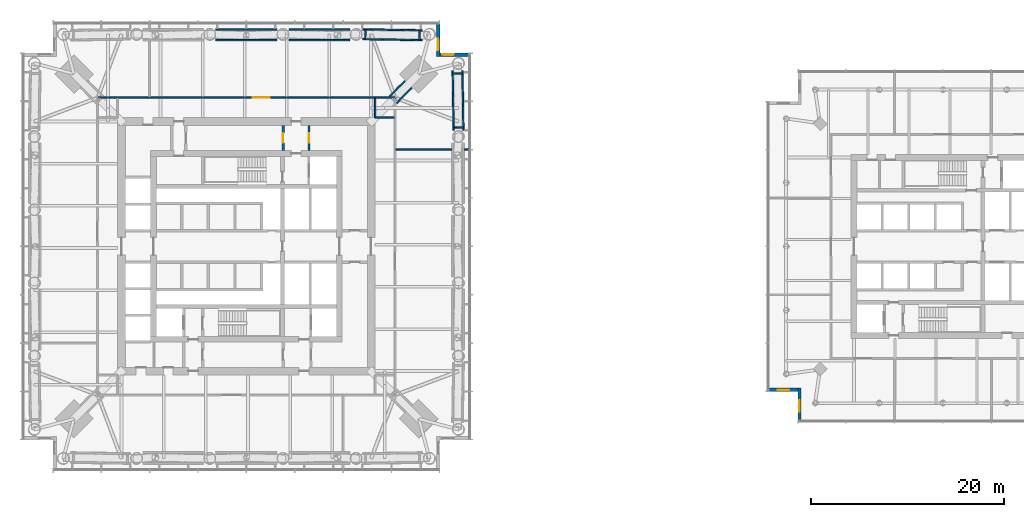
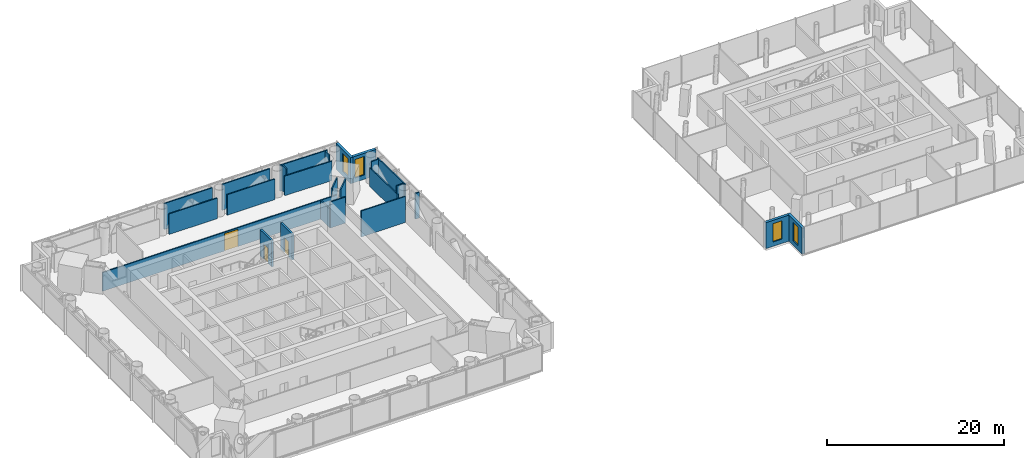
# One storey, part 13 of 18: 25 walls, 4 windows, 3 doors, 7 openings.
"""IFC4 building model written with IfcOpenShell, lengths in metres."""

from ifc_helpers import new_model, si_unit, direction, frame, frame_2d, origin, place, context, subcontext, project, spatial, rectangle, extrude, material, layer, layer_set, type_object, element, fill, save


model = new_model("IFC4")

# Units and contexts
model_context = context("Model", 3, precision=1e-05, world=origin(), true_north=direction((0.0, 1.0)))
body_context = subcontext(model_context, "Body", "Model", "MODEL_VIEW")
ifc_project = project(units=[si_unit("LENGTHUNIT", "METRE"), si_unit("AREAUNIT", "SQUARE_METRE"), si_unit("VOLUMEUNIT", "CUBIC_METRE"), si_unit("PLANEANGLEUNIT", "RADIAN"), si_unit("MASSUNIT", "GRAM", prefix="KILO")], contexts=[model_context])

# Site, building, storey
site_placement = place(None, origin())
site = spatial("IfcSite", under=ifc_project, at=site_placement, CompositionType="ELEMENT")
building_placement = place(site_placement, origin())
building = spatial("IfcBuilding", under=site, at=building_placement, Name="Ostroluk Exchange", CompositionType="ELEMENT")
storey_placement = place(building_placement, frame((0.0, 0.0, 85.60009765625)))
storey = spatial("IfcBuildingStorey", under=building, at=storey_placement, Name="L21", CompositionType="ELEMENT", Elevation=85.60009765625)

# Wall, opening, door
ifc_material_1 = material(Name="Concrete blockwork", Category="masonry")
ifc_layer_1 = layer(ifc_material_1, 0.25)
ifc_layer_set_1 = layer_set([ifc_layer_1], Name="Blockwork stair enclosure wall 250")
wall_type_1 = type_object("IfcWallType", Name="Blockwork stair enclosure wall 250", PredefinedType="SOLIDWALL", material=ifc_layer_set_1)
wall_1_placement = place(storey_placement, frame((48.804931640625, 55.89990234375, 0.0), z_axis=(0.0, 0.0, 1.0), x_axis=(0.0, 1.0, 0.0)))
wall_1 = element("IfcWall", 1, at=wall_1_placement, inside=storey, type_object=wall_type_1, Name="Fire lobby enclosure wall", PredefinedType="SOLIDWALL", context=body_context, shape_type="SweptSolid", body=[
    extrude(rectangle(XDim=2.60009765625, YDim=0.25, at=frame_2d((1.300048828125, 0.0))), origin(), (0.0, 0.0, 1.0), 3.599853515625),
])
opening_1_placement = place(wall_1_placement, frame((0.800048828125, 0.0, 0.0)))
opening_1 = element("IfcOpeningElement", 2, at=opening_1_placement, cuts=wall_1, Name="Opening FD60", PredefinedType="OPENING", context=body_context, shape_type="SweptSolid", body=[
    extrude(rectangle(XDim=1.0, YDim=2.10009765625, at=frame_2d((0.5, 1.050048828125))), frame((0.0, 0.135009765625, 0.0), z_axis=(0.0, -1.0, 0.0), x_axis=(1.0, 0.0, 0.0)), (0.0, 0.0, 1.0), 0.27001953125),
])
ifc_material_2 = material(Name="Steel", Category="steel")
door_type_1 = type_object("IfcDoorType", Name="Fire door EI 60 1000 x 2100", OperationType="SINGLE_SWING_LEFT", PredefinedType="DOOR", material=ifc_material_2)
door_1_placement = place(opening_1_placement, origin())
door_1 = element("IfcDoor", 3, at=door_1_placement, inside=storey, type_object=door_type_1, Name="Core link door", OperationType="SINGLE_SWING_LEFT", OverallHeight=2.10009765625, OverallWidth=1.0, PredefinedType="DOOR", context=body_context, shape_type="SweptSolid", body=[
    extrude(rectangle(XDim=1.0, YDim=2.10009765625, at=frame_2d((0.5, 1.050048828125))), frame((0.0, 0.02490234375, 0.0), z_axis=(0.0, -1.0, 0.0), x_axis=(1.0, 0.0, 0.0)), (0.0, 0.0, 1.0), 0.050048828125),
])
fill(opening_1, door_1)

wall_2_placement = place(storey_placement, frame((51.47509765625, 55.89990234375, 0.0), z_axis=(0.0, 0.0, 1.0), x_axis=(0.0, 1.0, 0.0)))
wall_2 = element("IfcWall", 4, at=wall_2_placement, inside=storey, type_object=wall_type_1, Name="Fire lobby enclosure wall", PredefinedType="SOLIDWALL", context=body_context, shape_type="SweptSolid", body=[
    extrude(rectangle(XDim=2.60009765625, YDim=0.25, at=frame_2d((1.300048828125, 0.0))), origin(), (0.0, 0.0, 1.0), 3.599853515625),
])
opening_2_placement = place(wall_2_placement, frame((0.800048828125, 0.0, 0.0)))
opening_2 = element("IfcOpeningElement", 5, at=opening_2_placement, cuts=wall_2, Name="Opening FD60", PredefinedType="OPENING", context=body_context, shape_type="SweptSolid", body=[
    extrude(rectangle(XDim=1.0, YDim=2.10009765625, at=frame_2d((0.5, 1.050048828125))), frame((0.0, 0.135009765625, 0.0), z_axis=(0.0, -1.0, 0.0), x_axis=(1.0, 0.0, 0.0)), (0.0, 0.0, 1.0), 0.27001953125),
])
door_2_placement = place(opening_2_placement, origin())
door_2 = element("IfcDoor", 6, at=door_2_placement, inside=storey, type_object=door_type_1, Name="Core link door", OperationType="SINGLE_SWING_LEFT", OverallHeight=2.10009765625, OverallWidth=1.0, PredefinedType="DOOR", context=body_context, shape_type="SweptSolid", body=[
    extrude(rectangle(XDim=1.0, YDim=2.10009765625, at=frame_2d((0.5, 1.050048828125))), frame((0.0, 0.02490234375, 0.0), z_axis=(0.0, -1.0, 0.0), x_axis=(1.0, 0.0, 0.0)), (0.0, 0.0, 1.0), 0.050048828125),
])
fill(opening_2, door_2)

# Wall, opening, window
ifc_material_3 = material(Name="Limestone", Category="masonry")
ifc_layer_2 = layer(ifc_material_3, 0.35009765625)
ifc_layer_set_2 = layer_set([ifc_layer_2], Name="Limestone facade wall 350")
wall_type_2 = type_object("IfcWallType", Name="Limestone facade wall 350", PredefinedType="SOLIDWALL", material=ifc_layer_set_2)
wall_3_placement = place(storey_placement, frame((64.824951171875, 69.0, 0.0), z_axis=(0.0, 0.0, 1.0), x_axis=(0.0, -1.0, 0.0)))
wall_3 = element("IfcWall", 7, at=wall_3_placement, inside=storey, type_object=wall_type_2, Name="Office tower NE corner wall L21 a", PredefinedType="SOLIDWALL", context=body_context, shape_type="SweptSolid", body=[
    extrude(rectangle(XDim=3.35009765625, YDim=0.35009765625, at=frame_2d((1.675048828125, 0.0))), origin(), (0.0, 0.0, 1.0), 3.599853515625),
])
opening_3_placement = place(wall_3_placement, frame((1.550048828125, 0.0, 0.60009765625)))
opening_3 = element("IfcOpeningElement", 8, at=opening_3_placement, cuts=wall_3, Name="Opening WN-LV1", PredefinedType="OPENING", context=body_context, shape_type="SweptSolid", body=[
    extrude(rectangle(XDim=1.199951171875, YDim=2.550048828125, at=frame_2d((0.60009765625, 1.27490234375))), frame((0.0, 0.18505859375, 0.0), z_axis=(0.0, -1.0, 0.0), x_axis=(1.0, 0.0, 0.0)), (0.0, 0.0, 1.0), 0.3701171875),
])
ifc_material_4 = material(Name="Aluminium louvre", Category="aluminium")
window_type = type_object("IfcWindowType", Name="Lancet louvre 1200 x 2550", PartitioningType="SINGLE_PANEL", PredefinedType="USERDEFINED", material=ifc_material_4)
window_1_placement = place(opening_3_placement, origin())
window_1 = element("IfcWindow", 9, at=window_1_placement, inside=storey, type_object=window_type, Name="Office tower NE plant louvre L21", ObjectType="LOUVRE", OverallHeight=2.550048828125, OverallWidth=1.199951171875, PartitioningType="SINGLE_PANEL", PredefinedType="USERDEFINED", context=body_context, shape_type="SweptSolid", body=[
    extrude(rectangle(XDim=1.199951171875, YDim=2.550048828125, at=frame_2d((0.60009765625, 1.27490234375))), frame((0.0, 0.030029296875, 0.0), z_axis=(0.0, -1.0, 0.0), x_axis=(1.0, 0.0, 0.0)), (0.0, 0.0, 1.0), 0.06005859375),
])
fill(opening_3, window_1)

wall_4_placement = place(storey_placement, frame((65.0, 65.824951171875, 0.0), z_axis=(0.0, 0.0, 1.0), x_axis=(1.0, 0.0, 0.0)))
wall_4 = element("IfcWall", 10, at=wall_4_placement, inside=storey, type_object=wall_type_2, Name="Office tower NE corner wall L21 b", PredefinedType="SOLIDWALL", context=body_context, shape_type="SweptSolid", body=[
    extrude(rectangle(XDim=3.0, YDim=0.35009765625, at=frame_2d((1.5, 0.0))), origin(), (0.0, 0.0, 1.0), 3.599853515625),
])
opening_4_placement = place(wall_4_placement, frame((0.25, 0.0, 0.60009765625)))
opening_4 = element("IfcOpeningElement", 11, at=opening_4_placement, cuts=wall_4, Name="Opening WN-LV1", PredefinedType="OPENING", context=body_context, shape_type="SweptSolid", body=[
    extrude(rectangle(XDim=1.199951171875, YDim=2.550048828125, at=frame_2d((0.60009765625, 1.27490234375))), frame((0.0, 0.18505859375, 0.0), z_axis=(0.0, -1.0, 0.0), x_axis=(1.0, 0.0, 0.0)), (0.0, 0.0, 1.0), 0.3701171875),
])
window_2_placement = place(opening_4_placement, origin())
window_2 = element("IfcWindow", 12, at=window_2_placement, inside=storey, type_object=window_type, Name="Office tower NE plant louvre L21", ObjectType="LOUVRE", OverallHeight=2.550048828125, OverallWidth=1.199951171875, PartitioningType="SINGLE_PANEL", PredefinedType="USERDEFINED", context=body_context, shape_type="SweptSolid", body=[
    extrude(rectangle(XDim=1.199951171875, YDim=2.550048828125, at=frame_2d((0.60009765625, 1.27490234375))), frame((0.0, 0.030029296875, 0.0), z_axis=(0.0, -1.0, 0.0), x_axis=(1.0, 0.0, 0.0)), (0.0, 0.0, 1.0), 0.06005859375),
])
fill(opening_4, window_2)

wall_5_placement = place(storey_placement, frame((102.175048828125, 28.0, 0.0), z_axis=(0.0, 0.0, 1.0), x_axis=(0.0, 1.0, 0.0)))
wall_5 = element("IfcWall", 13, at=wall_5_placement, inside=storey, type_object=wall_type_2, Name="Hotel tower SW corner wall L21 a", PredefinedType="SOLIDWALL", context=body_context, shape_type="SweptSolid", body=[
    extrude(rectangle(XDim=3.35009765625, YDim=0.35009765625, at=frame_2d((1.675048828125, 0.0))), origin(), (0.0, 0.0, 1.0), 3.599853515625),
])
opening_5_placement = place(wall_5_placement, frame((0.89990234375, 0.0, 0.60009765625)))
opening_5 = element("IfcOpeningElement", 14, at=opening_5_placement, cuts=wall_5, Name="Opening WN-LV1", PredefinedType="OPENING", context=body_context, shape_type="SweptSolid", body=[
    extrude(rectangle(XDim=1.199951171875, YDim=2.550048828125, at=frame_2d((0.60009765625, 1.27490234375))), frame((0.0, 0.18505859375, 0.0), z_axis=(0.0, -1.0, 0.0), x_axis=(1.0, 0.0, 0.0)), (0.0, 0.0, 1.0), 0.3701171875),
])
window_3_placement = place(opening_5_placement, origin())
window_3 = element("IfcWindow", 15, at=window_3_placement, inside=storey, type_object=window_type, Name="Hotel tower SW plant louvre L21", ObjectType="LOUVRE", OverallHeight=2.550048828125, OverallWidth=1.199951171875, PartitioningType="SINGLE_PANEL", PredefinedType="USERDEFINED", context=body_context, shape_type="SweptSolid", body=[
    extrude(rectangle(XDim=1.199951171875, YDim=2.550048828125, at=frame_2d((0.60009765625, 1.27490234375))), frame((0.0, 0.030029296875, 0.0), z_axis=(0.0, -1.0, 0.0), x_axis=(1.0, 0.0, 0.0)), (0.0, 0.0, 1.0), 0.06005859375),
])
fill(opening_5, window_3)

wall_6_placement = place(storey_placement, frame((102.0, 31.175048828125, 0.0), z_axis=(0.0, 0.0, 1.0), x_axis=(-1.0, 0.0, 0.0)))
wall_6 = element("IfcWall", 16, at=wall_6_placement, inside=storey, type_object=wall_type_2, Name="Hotel tower SW corner wall L21 b", PredefinedType="SOLIDWALL", context=body_context, shape_type="SweptSolid", body=[
    extrude(rectangle(XDim=3.0, YDim=0.35009765625, at=frame_2d((1.5, 0.0))), origin(), (0.0, 0.0, 1.0), 3.599853515625),
])
opening_6_placement = place(wall_6_placement, frame((0.89990234375, 0.0, 0.60009765625)))
opening_6 = element("IfcOpeningElement", 17, at=opening_6_placement, cuts=wall_6, Name="Opening WN-LV1", PredefinedType="OPENING", context=body_context, shape_type="SweptSolid", body=[
    extrude(rectangle(XDim=1.199951171875, YDim=2.550048828125, at=frame_2d((0.60009765625, 1.27490234375))), frame((0.0, 0.18505859375, 0.0), z_axis=(0.0, -1.0, 0.0), x_axis=(1.0, 0.0, 0.0)), (0.0, 0.0, 1.0), 0.3701171875),
])
window_4_placement = place(opening_6_placement, origin())
window_4 = element("IfcWindow", 18, at=window_4_placement, inside=storey, type_object=window_type, Name="Hotel tower SW plant louvre L21", ObjectType="LOUVRE", OverallHeight=2.550048828125, OverallWidth=1.199951171875, PartitioningType="SINGLE_PANEL", PredefinedType="USERDEFINED", context=body_context, shape_type="SweptSolid", body=[
    extrude(rectangle(XDim=1.199951171875, YDim=2.550048828125, at=frame_2d((0.60009765625, 1.27490234375))), frame((0.0, 0.030029296875, 0.0), z_axis=(0.0, -1.0, 0.0), x_axis=(1.0, 0.0, 0.0)), (0.0, 0.0, 1.0), 0.06005859375),
])
fill(opening_6, window_4)

# Walls
ifc_material_5 = material(Name="Gypsum plasterboard partition", Category="gypsum")
ifc_layer_3 = layer(ifc_material_5, 0.14990234375)
ifc_layer_set_3 = layer_set([ifc_layer_3], Name="Plasterboard partition 150")
wall_type_3 = type_object("IfcWallType", Name="Plasterboard partition 150", PredefinedType="PARTITIONING", material=ifc_layer_set_3)
wall_7_placement = place(storey_placement, frame((58.300048828125, 59.300048828125, 0.0), z_axis=(0.0, 0.0, 1.0), x_axis=(1.0, 0.0, 0.0)))
element("IfcWall", 19, at=wall_7_placement, inside=storey, type_object=wall_type_3, Name="Partition", PredefinedType="PARTITIONING", context=body_context, shape_type="SweptSolid", body=[
    extrude(rectangle(XDim=2.0, YDim=0.14990234375, at=frame_2d((1.0, 0.0))), origin(), (0.0, 0.0, 1.0), 3.599853515625),
])
wall_8_placement = place(storey_placement, frame((60.449951171875, 56.0, 0.0), z_axis=(0.0, 0.0, 1.0), x_axis=(1.0, 0.0, 0.0)))
element("IfcWall", 20, at=wall_8_placement, inside=storey, type_object=wall_type_3, Name="Partition", PredefinedType="PARTITIONING", context=body_context, shape_type="SweptSolid", body=[
    extrude(rectangle(XDim=5.7978515625, YDim=0.14990234375, at=frame_2d((2.89892578125, 0.0))), origin(), (0.0, 0.0, 1.0), 3.599853515625),
])
wall_9_placement = place(storey_placement, frame((67.501220703125, 56.0, 0.0), z_axis=(0.0, 0.0, 1.0), x_axis=(1.0, 0.0, 0.0)))
element("IfcWall", 21, at=wall_9_placement, inside=storey, type_object=wall_type_3, Name="Partition", PredefinedType="PARTITIONING", context=body_context, shape_type="SweptSolid", body=[
    extrude(rectangle(XDim=0.538818359375, YDim=0.14990234375, at=frame_2d((0.26953125, 0.0))), origin(), (0.0, 0.0, 1.0), 3.5498046875),
])
wall_10_placement = place(storey_placement, frame((58.300048828125, 59.300048828125, 0.0), z_axis=(0.0, 0.0, 1.0), x_axis=(0.0, 1.0, 0.0)))
element("IfcWall", 22, at=wall_10_placement, inside=storey, type_object=wall_type_3, Name="Partition", PredefinedType="PARTITIONING", context=body_context, shape_type="SweptSolid", body=[
    extrude(rectangle(XDim=2.0, YDim=0.14990234375, at=frame_2d((1.0, 0.0))), origin(), (0.0, 0.0, 1.0), 2.591796875),
])

# Wall, opening, door
wall_11_placement = place(storey_placement, frame((60.449951171875, 61.375, 0.0), z_axis=(0.0, 0.0, 1.0), x_axis=(-1.0, 0.0, 0.0)))
wall_11 = element("IfcWall", 23, at=wall_11_placement, inside=storey, type_object=wall_type_3, Name="Partition", PredefinedType="PARTITIONING", context=body_context, shape_type="SweptSolid", body=[
    extrude(rectangle(XDim=30.75, YDim=0.14990234375, at=frame_2d((15.375, 0.0))), origin(), (0.0, 0.0, 1.0), 2.591796875),
])
opening_7_placement = place(wall_11_placement, frame((13.012451171875, 0.0, 0.0)))
opening_7 = element("IfcOpeningElement", 24, at=opening_7_placement, cuts=wall_11, Name="Opening D-04", PredefinedType="OPENING", context=body_context, shape_type="SweptSolid", body=[
    extrude(rectangle(XDim=1.800048828125, YDim=2.39990234375, at=frame_2d((0.89990234375, 1.199951171875))), frame((0.0, 0.0849609375, 0.0), z_axis=(0.0, -1.0, 0.0), x_axis=(1.0, 0.0, 0.0)), (0.0, 0.0, 1.0), 0.169921875),
])
ifc_material_6 = material(Name="Timber", Category="wood")
door_type_2 = type_object("IfcDoorType", Name="Double door 1800 x 2400", OperationType="DOUBLE_DOOR_SINGLE_SWING", PredefinedType="DOOR", material=ifc_material_6)
door_3_placement = place(opening_7_placement, origin())
door_3 = element("IfcDoor", 25, at=door_3_placement, inside=storey, type_object=door_type_2, Name="Refuge area door", OperationType="DOUBLE_DOOR_SINGLE_SWING", OverallHeight=2.39990234375, OverallWidth=1.800048828125, PredefinedType="DOOR", context=body_context, shape_type="SweptSolid", body=[
    extrude(rectangle(XDim=1.800048828125, YDim=2.39990234375, at=frame_2d((0.89990234375, 1.199951171875))), frame((0.0, 0.02490234375, 0.0), z_axis=(0.0, -1.0, 0.0), x_axis=(1.0, 0.0, 0.0)), (0.0, 0.0, 1.0), 0.050048828125),
])
fill(opening_7, door_3)

# Walls
wall_12_placement = place(storey_placement, frame((66.41845703125, 58.014892578125, 0.0), z_axis=(0.0, 0.0, 1.0), x_axis=(-0.016275436477, 0.999867546312, 0.0)))
element("IfcWall", 26, at=wall_12_placement, inside=storey, type_object=wall_type_3, Name="Partition", PredefinedType="PARTITIONING", context=body_context, shape_type="SweptSolid", body=[
    extrude(rectangle(XDim=6.150146484375, YDim=0.14990234375, at=frame_2d((3.0751953125, 0.0))), origin(), (0.0, 0.0, 1.0), 2.591796875),
])
wall_13_placement = place(storey_placement, frame((66.322998046875, 63.87451171875, 0.0), z_axis=(0.0, 0.0, 1.0), x_axis=(0.999869638962, 0.016146364379, 0.0)))
element("IfcWall", 27, at=wall_13_placement, inside=storey, type_object=wall_type_3, Name="Partition", PredefinedType="PARTITIONING", context=body_context, shape_type="SweptSolid", body=[
    extrude(rectangle(XDim=1.01318359375, YDim=0.14990234375, at=frame_2d((0.506591796875, 0.0))), origin(), (0.0, 0.0, 1.0), 3.599853515625),
])
wall_14_placement = place(storey_placement, frame((67.33154296875, 64.160888671875, 0.0), z_axis=(0.0, 0.0, 1.0), x_axis=(0.016274790516, -0.999867556826, 0.0)))
element("IfcWall", 28, at=wall_14_placement, inside=storey, type_object=wall_type_3, Name="Partition", PredefinedType="PARTITIONING", context=body_context, shape_type="SweptSolid", body=[
    extrude(rectangle(XDim=6.150390625, YDim=0.14990234375, at=frame_2d((3.0751953125, 0.0))), origin(), (0.0, 0.0, 1.0), 3.599853515625),
])
wall_15_placement = place(storey_placement, frame((67.427001953125, 58.30126953125, 0.0), z_axis=(0.0, 0.0, 1.0), x_axis=(-0.999865719337, -0.016387290652, 0.0)))
element("IfcWall", 29, at=wall_15_placement, inside=storey, type_object=wall_type_3, Name="Partition", PredefinedType="PARTITIONING", context=body_context, shape_type="SweptSolid", body=[
    extrude(rectangle(XDim=1.01318359375, YDim=0.14990234375, at=frame_2d((0.506591796875, 0.0))), origin(), (0.0, 0.0, 1.0), 3.599853515625),
])
for number, where, z_axis, x_axis, name in (
    (30, (59.81787109375, 61.52490234375, 0.0), (0.0, 0.0, 1.0), (0.707106781187, 0.707106781187, 0.0), "Partition"),
    (31, (62.077880859375, 62.370849609375, 0.0), (0.0, 0.0, 1.0), (-0.707106781187, -0.707106781187, 0.0), "Partition"),
):
    element("IfcWall", number, at=place(storey_placement, frame(where, z_axis=z_axis, x_axis=x_axis)), inside=storey, type_object=wall_type_3, Name=name, PredefinedType="PARTITIONING", context=body_context, shape_type="SweptSolid", body=[
        extrude(rectangle(XDim=2.1962890625, YDim=0.14990234375, at=frame_2d((1.09814453125, 0.0))), origin(), (0.0, 0.0, 1.0), 3.599853515625),
    ])
wall_16_placement = place(storey_placement, frame((55.678955078125, 67.32275390625, 0.0), z_axis=(0.0, 0.0, 1.0), x_axis=(-0.999999987755, 0.000156494521, 0.0)))
element("IfcWall", 32, at=wall_16_placement, inside=storey, type_object=wall_type_3, Name="Partition", PredefinedType="PARTITIONING", context=body_context, shape_type="SweptSolid", body=[
    extrude(rectangle(XDim=6.240234375, YDim=0.14990234375, at=frame_2d((3.1201171875, 0.0))), origin(), (0.0, 0.0, 1.0), 2.837890625),
])
wall_17_placement = place(storey_placement, frame((49.438720703125, 68.427001953125, 0.0), z_axis=(0.0, 0.0, 1.0), x_axis=(0.999999987755, -0.000156494521, 0.0)))
element("IfcWall", 33, at=wall_17_placement, inside=storey, type_object=wall_type_3, Name="Partition", PredefinedType="PARTITIONING", context=body_context, shape_type="SweptSolid", body=[
    extrude(rectangle(XDim=6.240234375, YDim=0.14990234375, at=frame_2d((3.1201171875, 0.0))), origin(), (0.0, 0.0, 1.0), 3.599853515625),
])
wall_18_placement = place(storey_placement, frame((41.8466796875, 68.4267578125, 0.0), z_axis=(0.0, 0.0, 1.0), x_axis=(1.0, 0.0, 0.0)))
element("IfcWall", 34, at=wall_18_placement, inside=storey, type_object=wall_type_3, Name="Partition", PredefinedType="PARTITIONING", context=body_context, shape_type="SweptSolid", body=[
    extrude(rectangle(XDim=6.306640625, YDim=0.14990234375, at=frame_2d((3.1533203125, 0.0))), origin(), (0.0, 0.0, 1.0), 3.599853515625),
])
wall_19_placement = place(storey_placement, frame((48.1533203125, 67.3232421875, 0.0), z_axis=(0.0, 0.0, 1.0), x_axis=(-1.0, 0.0, 0.0)))
element("IfcWall", 35, at=wall_19_placement, inside=storey, type_object=wall_type_3, Name="Partition", PredefinedType="PARTITIONING", context=body_context, shape_type="SweptSolid", body=[
    extrude(rectangle(XDim=6.306640625, YDim=0.14990234375, at=frame_2d((3.1533203125, 0.0))), origin(), (0.0, 0.0, 1.0), 2.837890625),
])
wall_20_placement = place(storey_placement, frame((63.164306640625, 67.318359375, 0.0), z_axis=(0.0, 0.0, 1.0), x_axis=(-0.999867546312, 0.016275436477, 0.0)))
element("IfcWall", 36, at=wall_20_placement, inside=storey, type_object=wall_type_3, Name="Partition", PredefinedType="PARTITIONING", context=body_context, shape_type="SweptSolid", body=[
    extrude(rectangle(XDim=6.150146484375, YDim=0.14990234375, at=frame_2d((3.0751953125, 0.0))), origin(), (0.0, 0.0, 1.0), 2.699951171875),
])
wall_21_placement = place(storey_placement, frame((57.28466796875, 67.4140625, 0.0), z_axis=(0.0, 0.0, 1.0), x_axis=(0.016387290652, 0.999865719337, 0.0)))
element("IfcWall", 37, at=wall_21_placement, inside=storey, type_object=wall_type_3, Name="Partition", PredefinedType="PARTITIONING", context=body_context, shape_type="SweptSolid", body=[
    extrude(rectangle(XDim=1.01318359375, YDim=0.14990234375, at=frame_2d((0.506591796875, 0.0))), origin(), (0.0, 0.0, 1.0), 3.599853515625),
])
wall_22_placement = place(storey_placement, frame((57.01123046875, 68.431640625, 0.0), z_axis=(0.0, 0.0, 1.0), x_axis=(0.999867556826, -0.016274790516, 0.0)))
element("IfcWall", 38, at=wall_22_placement, inside=storey, type_object=wall_type_3, Name="Partition", PredefinedType="PARTITIONING", context=body_context, shape_type="SweptSolid", body=[
    extrude(rectangle(XDim=6.150390625, YDim=0.14990234375, at=frame_2d((3.0751953125, 0.0))), origin(), (0.0, 0.0, 1.0), 3.599853515625),
])
wall_23_placement = place(storey_placement, frame((62.890869140625, 68.3359375, 0.0), z_axis=(0.0, 0.0, 1.0), x_axis=(-0.016146364379, -0.999869638962, 0.0)))
element("IfcWall", 39, at=wall_23_placement, inside=storey, type_object=wall_type_3, Name="Partition", PredefinedType="PARTITIONING", context=body_context, shape_type="SweptSolid", body=[
    extrude(rectangle(XDim=1.01318359375, YDim=0.14990234375, at=frame_2d((0.506591796875, 0.0))), origin(), (0.0, 0.0, 1.0), 3.599853515625),
])

save(model, "model.ifc")
